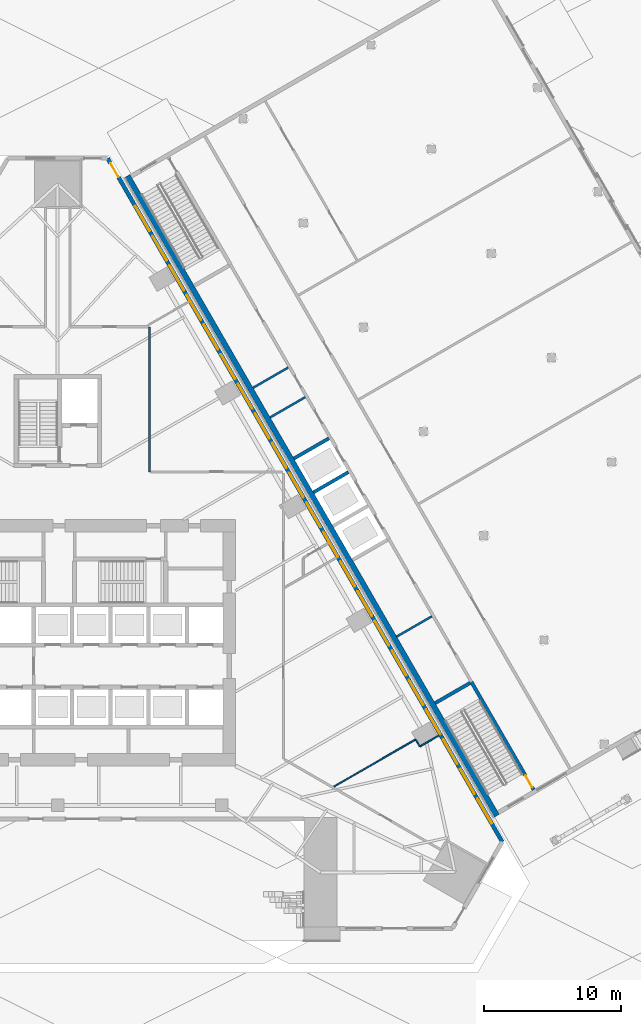
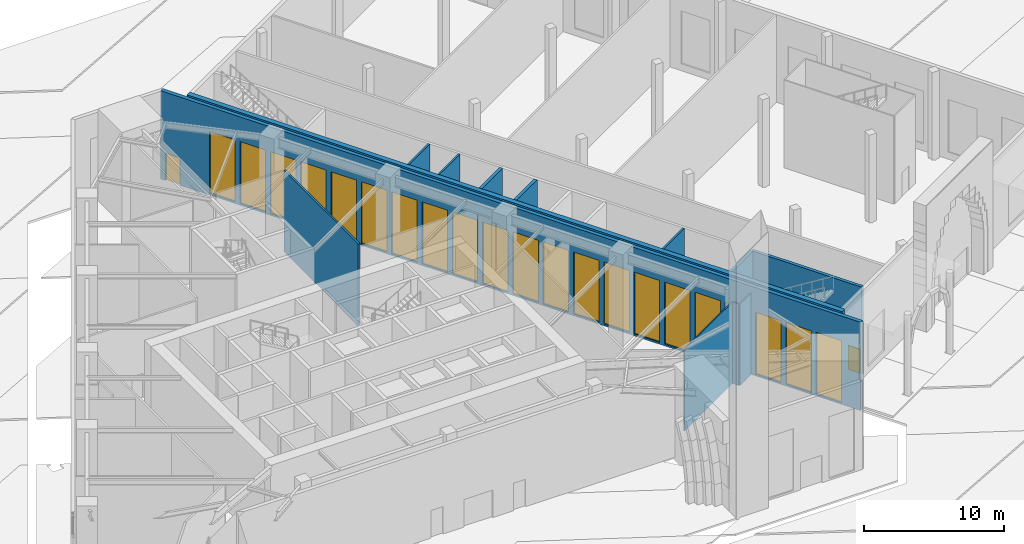
# One storey, part 16 of 34: 21 windows, 13 walls, 2 doors, 23 openings.
"""IFC4 building model written with IfcOpenShell, lengths in metres."""

from ifc_helpers import new_model, si_unit, direction, frame, frame_2d, origin, place, context, subcontext, project, spatial, rectangle, extrude, material, layer, layer_set, type_object, element, fill, save


model = new_model("IFC4")

# Units and contexts
model_context = context("Model", 3, precision=1e-05, world=origin(), true_north=direction((0.0, 1.0)))
body_context = subcontext(model_context, "Body", "Model", "MODEL_VIEW")
ifc_project = project(units=[si_unit("LENGTHUNIT", "METRE"), si_unit("AREAUNIT", "SQUARE_METRE"), si_unit("VOLUMEUNIT", "CUBIC_METRE"), si_unit("PLANEANGLEUNIT", "RADIAN"), si_unit("MASSUNIT", "GRAM", prefix="KILO")], contexts=[model_context])

# Site, building, storey
site_placement = place(None, origin())
site = spatial("IfcSite", under=ifc_project, at=site_placement, CompositionType="ELEMENT")
building_placement = place(site_placement, origin())
building = spatial("IfcBuilding", under=site, at=building_placement, Name="Firuza Gate Tower and Library", CompositionType="ELEMENT")
storey_placement = place(building_placement, origin())
storey = spatial("IfcBuildingStorey", under=building, at=storey_placement, Name="L00", CompositionType="ELEMENT", Elevation=0.0)

# Walls
ifc_material_1 = material(Name="Gypsum board partition")
ifc_layer_1 = layer(ifc_material_1, 0.14990234375)
ifc_layer_set_1 = layer_set([ifc_layer_1], Name="Corridor wall 150 double board on steel studs")
wall_type_1 = type_object("IfcWallType", Name="Corridor wall 150 double board on steel studs", PredefinedType="PARTITIONING", material=ifc_layer_set_1)
wall_1_placement = place(storey_placement, frame((81.699951171875, 87.5, 0.0), z_axis=(0.0, 0.0, 1.0), x_axis=(0.0, 1.0, 0.0)))
element("IfcWall", 1, at=wall_1_placement, inside=storey, type_object=wall_type_1, Name="f:L00:w018", PredefinedType="PARTITIONING", context=body_context, shape_type="SweptSolid", body=[
    extrude(rectangle(XDim=10.599609375, YDim=0.14990234375, at=frame_2d((5.2998046875, 0.0))), origin(), (0.0, 0.0, 1.0), 7.10009765625),
])
ifc_material_2 = material(Name="Gypsum board on steel studs", Category="steel")
ifc_layer_2 = layer(ifc_material_2, 0.14990234375)
ifc_layer_set_2 = layer_set([ifc_layer_2], Name="LIB PARTITION 150")
wall_type_2 = type_object("IfcWallType", Name="LIB PARTITION 150", PredefinedType="PARTITIONING", material=ifc_layer_set_2)
for number, where, z_axis, x_axis, name in (
    (2, (99.779296875, 75.449951171875, 0.0), (0.0, 0.0, 1.0), (0.866017493347, 0.500013701029, 0.0), "L00 part wall 5"),
    (3, (90.529296875, 91.471435546875, 0.0), (0.0, 0.0, 1.0), (0.866017493347, 0.500013701029, 0.0), "L00 part wall 12"),
    (4, (89.279296875, 93.636474609375, 0.0), (0.0, 0.0, 1.0), (0.866017493347, 0.500013701029, 0.0), "L00 part wall 13"),
):
    element("IfcWall", number, at=place(storey_placement, frame(where, z_axis=z_axis, x_axis=x_axis)), inside=storey, type_object=wall_type_2, Name=name, PredefinedType="PARTITIONING", context=body_context, shape_type="SweptSolid", body=[
        extrude(rectangle(XDim=2.97509765625, YDim=0.14990234375, at=frame_2d((1.487548828125, 0.0))), origin(), (0.0, 0.0, 1.0), 7.639892578125),
    ])
ifc_material_3 = material(Name="Concrete C40/50", Category="concrete")
ifc_layer_3 = layer(ifc_material_3, 0.25)
ifc_layer_set_3 = layer_set([ifc_layer_3], Name="LIB SHAFT WALL 250")
wall_type_3 = type_object("IfcWallType", Name="LIB SHAFT WALL 250", PredefinedType="SOLIDWALL", material=ifc_layer_set_3)
wall_2_placement = place(storey_placement, frame((102.5869140625, 70.58740234375, 0.0), z_axis=(0.0, 0.0, 1.0), x_axis=(0.866039495442, 0.49997559174, 0.0)))
element("IfcWall", 5, at=wall_2_placement, inside=storey, type_object=wall_type_3, Name="L00 shaft wall 1", PredefinedType="SOLIDWALL", context=body_context, shape_type="SweptSolid", body=[
    extrude(rectangle(XDim=2.949951171875, YDim=0.25, at=frame_2d((1.47509765625, 0.0))), origin(), (0.0, 0.0, 1.0), 7.639892578125),
])

# Wall, opening, door
wall_3_placement = place(storey_placement, frame((109.79248046875, 64.2568359375, 0.0), z_axis=(0.0, 0.0, 1.0), x_axis=(-0.499994616197, 0.866028512102, 0.0)))
wall_3 = element("IfcWall", 6, at=wall_3_placement, inside=storey, type_object=wall_type_3, Name="L00 shaft wall 2", PredefinedType="SOLIDWALL", context=body_context, shape_type="SweptSolid", body=[
    extrude(rectangle(XDim=9.0849609375, YDim=0.25, at=frame_2d((4.54248046875, 0.0))), origin(), (0.0, 0.0, 1.0), 7.639892578125),
])
opening_1_placement = place(wall_3_placement, frame((0.199951171875, 0.0, 0.0)))
opening_1 = element("IfcOpeningElement", 7, at=opening_1_placement, cuts=wall_3, Name="Opening LIB-D4-001", PredefinedType="OPENING", context=body_context, shape_type="SweptSolid", body=[
    extrude(rectangle(XDim=1.0, YDim=2.10009765625, at=frame_2d((0.5, 1.050048828125))), frame((0.0, 0.135009765625, 0.0), z_axis=(0.0, -1.0, 0.0), x_axis=(1.0, 0.0, 0.0)), (0.0, 0.0, 1.0), 0.27001953125),
])
ifc_material_4 = material(Name="Steel S235 door leaf", Category="steel")
door_type_1 = type_object("IfcDoorType", Name="LIB FIRE DOOR 1000", OperationType="NOTDEFINED", PredefinedType="DOOR", material=ifc_material_4)
door_1_placement = place(opening_1_placement, origin())
door_1 = element("IfcDoor", 8, at=door_1_placement, inside=storey, type_object=door_type_1, Name="L00 door 1", OperationType="SINGLE_SWING_LEFT", OverallHeight=2.10009765625, OverallWidth=1.0, PredefinedType="DOOR", context=body_context, shape_type="SweptSolid", body=[
    extrude(rectangle(XDim=1.0, YDim=2.10009765625, at=frame_2d((0.5, 1.050048828125))), frame((0.0, 0.02490234375, 0.0), z_axis=(0.0, -1.0, 0.0), x_axis=(1.0, 0.0, 0.0)), (0.0, 0.0, 1.0), 0.050048828125),
])
fill(opening_1, door_1)

# Walls
wall_4_placement = place(storey_placement, frame((93.69189453125, 85.993896484375, 0.0), z_axis=(0.0, 0.0, 1.0), x_axis=(0.866003658127, 0.500037662692, 0.0)))
element("IfcWall", 9, at=wall_4_placement, inside=storey, type_object=wall_type_3, Name="L00 shaft wall 10", PredefinedType="SOLIDWALL", context=body_context, shape_type="SweptSolid", body=[
    extrude(rectangle(XDim=2.949951171875, YDim=0.25, at=frame_2d((1.47509765625, 0.0))), origin(), (0.0, 0.0, 1.0), 7.639892578125),
])
wall_5_placement = place(storey_placement, frame((92.266845703125, 88.4619140625, 0.0), z_axis=(0.0, 0.0, 1.0), x_axis=(0.866024349092, 0.500001826776, 0.0)))
element("IfcWall", 10, at=wall_5_placement, inside=storey, type_object=wall_type_3, Name="L00 shaft wall 11", PredefinedType="SOLIDWALL", context=body_context, shape_type="SweptSolid", body=[
    extrude(rectangle(XDim=2.9501953125, YDim=0.25, at=frame_2d((1.47509765625, 0.0))), origin(), (0.0, 0.0, 1.0), 7.639892578125),
])
ifc_material_5 = material(Name="Concrete C40/50", Category="concrete")
ifc_layer_4 = layer(ifc_material_5, 0.39990234375)
ifc_layer_set_4 = layer_set([ifc_layer_4], Name="LIB WEST WALL 400")
wall_type_4 = type_object("IfcWallType", Name="LIB WEST WALL 400", PredefinedType="SOLIDWALL", material=ifc_layer_set_4)
wall_6_placement = place(storey_placement, frame((107.106201171875, 62.359619140625, 0.0), z_axis=(0.0, 0.0, 1.0), x_axis=(-0.49999992739, 0.866025445706, 0.0)))
element("IfcWall", 11, at=wall_6_placement, inside=storey, type_object=wall_type_4, Name="L00 west bearing wall", PredefinedType="SOLIDWALL", context=body_context, shape_type="SweptSolid", body=[
    extrude(rectangle(XDim=54.0, YDim=0.39990234375, at=frame_2d((27.0, 0.0))), origin(), (0.0, 0.0, 1.0), 7.639892578125),
])
ifc_material_6 = material(Name="Gypsum board partition")
ifc_layer_5 = layer(ifc_material_6, 0.10009765625)
ifc_layer_set_5 = layer_set([ifc_layer_5], Name="Partition 100 gypsum board on steel studs")
wall_type_5 = type_object("IfcWallType", Name="Partition 100 gypsum board on steel studs", PredefinedType="PARTITIONING", material=ifc_layer_set_5)
wall_7_placement = place(storey_placement, frame((101.471435546875, 67.42041015625, 0.0), z_axis=(0.0, 0.0, 1.0), x_axis=(0.866026058841, 0.499998865407, 0.0)))
element("IfcWall", 12, at=wall_7_placement, inside=storey, type_object=wall_type_5, Name="f:L00:w005", PredefinedType="PARTITIONING", context=body_context, shape_type="SweptSolid", body=[
    extrude(rectangle(XDim=1.70751953125, YDim=0.10009765625, at=frame_2d((0.853759765625, 0.0))), origin(), (0.0, 0.0, 1.0), 7.10009765625),
])
wall_8_placement = place(storey_placement, frame((95.200927734375, 64.492919921875, 0.0), z_axis=(0.0, 0.0, 1.0), x_axis=(0.866031059472, 0.499990203933, 0.0)))
element("IfcWall", 13, at=wall_8_placement, inside=storey, type_object=wall_type_5, Name="f:L00:w006", PredefinedType="PARTITIONING", context=body_context, shape_type="SweptSolid", body=[
    extrude(rectangle(XDim=6.893310546875, YDim=0.10009765625, at=frame_2d((3.44677734375, 0.0))), origin(), (0.0, 0.0, 1.0), 7.10009765625),
])
wall_9_placement = place(storey_placement, frame((101.4462890625, 67.4638671875, 0.0), z_axis=(0.0, 0.0, 1.0), x_axis=(-0.500033033937, 0.866006330792, 0.0)))
element("IfcWall", 14, at=wall_9_placement, inside=storey, type_object=wall_type_5, Name="f:L00:w026", PredefinedType="PARTITIONING", context=body_context, shape_type="SweptSolid", body=[
    extrude(rectangle(XDim=0.4990234375, YDim=0.10009765625, at=frame_2d((0.24951171875, 0.0))), origin(), (0.0, 0.0, 1.0), 7.10009765625),
])

# Wall, openings, door, windows
ifc_material_7 = material(Name="Concrete C40/50", Category="concrete")
ifc_layer_6 = layer(ifc_material_7, 0.300048828125)
ifc_layer_set_6 = layer_set([ifc_layer_6], Name="Shopfront wall 300")
wall_type_6 = type_object("IfcWallType", Name="Shopfront wall 300", PredefinedType="SOLIDWALL", material=ifc_layer_set_6)
wall_10_placement = place(storey_placement, frame((107.50390625, 60.45068359375, 0.0), z_axis=(0.0, 0.0, 1.0), x_axis=(-0.500000550228, 0.86602508611, 0.0)))
wall_10 = element("IfcWall", 15, at=wall_10_placement, inside=storey, type_object=wall_type_6, Name="Shopfront wall 7", PredefinedType="SOLIDWALL", context=body_context, shape_type="SweptSolid", body=[
    extrude(rectangle(XDim=57.7041015625, YDim=0.300048828125, at=frame_2d((28.85205078125, 0.0))), origin(), (0.0, 0.0, 1.0), 7.699951171875),
])
opening_2_placement = place(wall_10_placement, frame((56.10400390625, 0.0, 0.0)))
opening_2 = element("IfcOpeningElement", 16, at=opening_2_placement, cuts=wall_10, Name="Opening DR4-001", PredefinedType="OPENING", context=body_context, shape_type="SweptSolid", body=[
    extrude(rectangle(XDim=1.199951171875, YDim=2.39990234375, at=frame_2d((0.60009765625, 1.199951171875))), frame((0.0, 0.16015625, 0.0), z_axis=(0.0, -1.0, 0.0), x_axis=(1.0, 0.0, 0.0)), (0.0, 0.0, 1.0), 0.320068359375),
])
opening_3_placement = place(wall_10_placement, frame((1.552001953125, 0.0, 0.14990234375)))
opening_3 = element("IfcOpeningElement", 17, at=opening_3_placement, cuts=wall_10, Name="Opening WD2-006", PredefinedType="OPENING", context=body_context, shape_type="SweptSolid", body=[
    extrude(rectangle(XDim=2.10009765625, YDim=5.39990234375, at=frame_2d((1.050048828125, 2.699951171875))), frame((0.0, 0.16015625, 0.0), z_axis=(0.0, -1.0, 0.0), x_axis=(1.0, 0.0, 0.0)), (0.0, 0.0, 1.0), 0.320068359375),
])
opening_4_placement = place(wall_10_placement, frame((4.052001953125, 0.0, 0.14990234375)))
opening_4 = element("IfcOpeningElement", 18, at=opening_4_placement, cuts=wall_10, Name="Opening WD2-007", PredefinedType="OPENING", context=body_context, shape_type="SweptSolid", body=[
    extrude(rectangle(XDim=2.10009765625, YDim=5.39990234375, at=frame_2d((1.050048828125, 2.699951171875))), frame((0.0, 0.16015625, 0.0), z_axis=(0.0, -1.0, 0.0), x_axis=(1.0, 0.0, 0.0)), (0.0, 0.0, 1.0), 0.320068359375),
])
opening_5_placement = place(wall_10_placement, frame((6.552001953125, 0.0, 0.14990234375)))
opening_5 = element("IfcOpeningElement", 19, at=opening_5_placement, cuts=wall_10, Name="Opening WD2-008", PredefinedType="OPENING", context=body_context, shape_type="SweptSolid", body=[
    extrude(rectangle(XDim=2.10009765625, YDim=5.39990234375, at=frame_2d((1.050048828125, 2.699951171875))), frame((0.0, 0.16015625, 0.0), z_axis=(0.0, -1.0, 0.0), x_axis=(1.0, 0.0, 0.0)), (0.0, 0.0, 1.0), 0.320068359375),
])
opening_6_placement = place(wall_10_placement, frame((9.052001953125, 0.0, 0.14990234375)))
opening_6 = element("IfcOpeningElement", 20, at=opening_6_placement, cuts=wall_10, Name="Opening WD2-009", PredefinedType="OPENING", context=body_context, shape_type="SweptSolid", body=[
    extrude(rectangle(XDim=2.10009765625, YDim=5.39990234375, at=frame_2d((1.050048828125, 2.699951171875))), frame((0.0, 0.16015625, 0.0), z_axis=(0.0, -1.0, 0.0), x_axis=(1.0, 0.0, 0.0)), (0.0, 0.0, 1.0), 0.320068359375),
])
opening_7_placement = place(wall_10_placement, frame((11.552001953125, 0.0, 0.14990234375)))
opening_7 = element("IfcOpeningElement", 21, at=opening_7_placement, cuts=wall_10, Name="Opening WD2-010", PredefinedType="OPENING", context=body_context, shape_type="SweptSolid", body=[
    extrude(rectangle(XDim=2.10009765625, YDim=5.39990234375, at=frame_2d((1.050048828125, 2.699951171875))), frame((0.0, 0.16015625, 0.0), z_axis=(0.0, -1.0, 0.0), x_axis=(1.0, 0.0, 0.0)), (0.0, 0.0, 1.0), 0.320068359375),
])
opening_8_placement = place(wall_10_placement, frame((14.052001953125, 0.0, 0.14990234375)))
opening_8 = element("IfcOpeningElement", 22, at=opening_8_placement, cuts=wall_10, Name="Opening WD2-011", PredefinedType="OPENING", context=body_context, shape_type="SweptSolid", body=[
    extrude(rectangle(XDim=2.10009765625, YDim=5.39990234375, at=frame_2d((1.050048828125, 2.699951171875))), frame((0.0, 0.16015625, 0.0), z_axis=(0.0, -1.0, 0.0), x_axis=(1.0, 0.0, 0.0)), (0.0, 0.0, 1.0), 0.320068359375),
])
opening_9_placement = place(wall_10_placement, frame((16.552001953125, 0.0, 0.14990234375)))
opening_9 = element("IfcOpeningElement", 23, at=opening_9_placement, cuts=wall_10, Name="Opening WD2-012", PredefinedType="OPENING", context=body_context, shape_type="SweptSolid", body=[
    extrude(rectangle(XDim=2.10009765625, YDim=5.39990234375, at=frame_2d((1.050048828125, 2.699951171875))), frame((0.0, 0.16015625, 0.0), z_axis=(0.0, -1.0, 0.0), x_axis=(1.0, 0.0, 0.0)), (0.0, 0.0, 1.0), 0.320068359375),
])
opening_10_placement = place(wall_10_placement, frame((19.052001953125, 0.0, 0.14990234375)))
opening_10 = element("IfcOpeningElement", 24, at=opening_10_placement, cuts=wall_10, Name="Opening WD2-013", PredefinedType="OPENING", context=body_context, shape_type="SweptSolid", body=[
    extrude(rectangle(XDim=2.10009765625, YDim=5.39990234375, at=frame_2d((1.050048828125, 2.699951171875))), frame((0.0, 0.16015625, 0.0), z_axis=(0.0, -1.0, 0.0), x_axis=(1.0, 0.0, 0.0)), (0.0, 0.0, 1.0), 0.320068359375),
])
opening_11_placement = place(wall_10_placement, frame((21.552001953125, 0.0, 0.14990234375)))
opening_11 = element("IfcOpeningElement", 25, at=opening_11_placement, cuts=wall_10, Name="Opening WD2-014", PredefinedType="OPENING", context=body_context, shape_type="SweptSolid", body=[
    extrude(rectangle(XDim=2.10009765625, YDim=5.39990234375, at=frame_2d((1.050048828125, 2.699951171875))), frame((0.0, 0.16015625, 0.0), z_axis=(0.0, -1.0, 0.0), x_axis=(1.0, 0.0, 0.0)), (0.0, 0.0, 1.0), 0.320068359375),
])
opening_12_placement = place(wall_10_placement, frame((24.052001953125, 0.0, 0.14990234375)))
opening_12 = element("IfcOpeningElement", 26, at=opening_12_placement, cuts=wall_10, Name="Opening WD2-015", PredefinedType="OPENING", context=body_context, shape_type="SweptSolid", body=[
    extrude(rectangle(XDim=2.10009765625, YDim=5.39990234375, at=frame_2d((1.050048828125, 2.699951171875))), frame((0.0, 0.16015625, 0.0), z_axis=(0.0, -1.0, 0.0), x_axis=(1.0, 0.0, 0.0)), (0.0, 0.0, 1.0), 0.320068359375),
])
opening_13_placement = place(wall_10_placement, frame((26.552001953125, 0.0, 0.14990234375)))
opening_13 = element("IfcOpeningElement", 27, at=opening_13_placement, cuts=wall_10, Name="Opening WD2-016", PredefinedType="OPENING", context=body_context, shape_type="SweptSolid", body=[
    extrude(rectangle(XDim=2.10009765625, YDim=5.39990234375, at=frame_2d((1.050048828125, 2.699951171875))), frame((0.0, 0.16015625, 0.0), z_axis=(0.0, -1.0, 0.0), x_axis=(1.0, 0.0, 0.0)), (0.0, 0.0, 1.0), 0.320068359375),
])
opening_14_placement = place(wall_10_placement, frame((29.052001953125, 0.0, 0.14990234375)))
opening_14 = element("IfcOpeningElement", 28, at=opening_14_placement, cuts=wall_10, Name="Opening WD2-017", PredefinedType="OPENING", context=body_context, shape_type="SweptSolid", body=[
    extrude(rectangle(XDim=2.10009765625, YDim=5.39990234375, at=frame_2d((1.050048828125, 2.699951171875))), frame((0.0, 0.16015625, 0.0), z_axis=(0.0, -1.0, 0.0), x_axis=(1.0, 0.0, 0.0)), (0.0, 0.0, 1.0), 0.320068359375),
])
opening_15_placement = place(wall_10_placement, frame((31.552001953125, 0.0, 0.14990234375)))
opening_15 = element("IfcOpeningElement", 29, at=opening_15_placement, cuts=wall_10, Name="Opening WD2-018", PredefinedType="OPENING", context=body_context, shape_type="SweptSolid", body=[
    extrude(rectangle(XDim=2.10009765625, YDim=5.39990234375, at=frame_2d((1.050048828125, 2.699951171875))), frame((0.0, 0.16015625, 0.0), z_axis=(0.0, -1.0, 0.0), x_axis=(1.0, 0.0, 0.0)), (0.0, 0.0, 1.0), 0.320068359375),
])
opening_16_placement = place(wall_10_placement, frame((34.052001953125, 0.0, 0.14990234375)))
opening_16 = element("IfcOpeningElement", 30, at=opening_16_placement, cuts=wall_10, Name="Opening WD2-019", PredefinedType="OPENING", context=body_context, shape_type="SweptSolid", body=[
    extrude(rectangle(XDim=2.10009765625, YDim=5.39990234375, at=frame_2d((1.050048828125, 2.699951171875))), frame((0.0, 0.16015625, 0.0), z_axis=(0.0, -1.0, 0.0), x_axis=(1.0, 0.0, 0.0)), (0.0, 0.0, 1.0), 0.320068359375),
])
opening_17_placement = place(wall_10_placement, frame((36.552001953125, 0.0, 0.14990234375)))
opening_17 = element("IfcOpeningElement", 31, at=opening_17_placement, cuts=wall_10, Name="Opening WD2-020", PredefinedType="OPENING", context=body_context, shape_type="SweptSolid", body=[
    extrude(rectangle(XDim=2.10009765625, YDim=5.39990234375, at=frame_2d((1.050048828125, 2.699951171875))), frame((0.0, 0.16015625, 0.0), z_axis=(0.0, -1.0, 0.0), x_axis=(1.0, 0.0, 0.0)), (0.0, 0.0, 1.0), 0.320068359375),
])
opening_18_placement = place(wall_10_placement, frame((39.052001953125, 0.0, 0.14990234375)))
opening_18 = element("IfcOpeningElement", 32, at=opening_18_placement, cuts=wall_10, Name="Opening WD2-021", PredefinedType="OPENING", context=body_context, shape_type="SweptSolid", body=[
    extrude(rectangle(XDim=2.10009765625, YDim=5.39990234375, at=frame_2d((1.050048828125, 2.699951171875))), frame((0.0, 0.16015625, 0.0), z_axis=(0.0, -1.0, 0.0), x_axis=(1.0, 0.0, 0.0)), (0.0, 0.0, 1.0), 0.320068359375),
])
opening_19_placement = place(wall_10_placement, frame((41.552001953125, 0.0, 0.14990234375)))
opening_19 = element("IfcOpeningElement", 33, at=opening_19_placement, cuts=wall_10, Name="Opening WD2-022", PredefinedType="OPENING", context=body_context, shape_type="SweptSolid", body=[
    extrude(rectangle(XDim=2.10009765625, YDim=5.39990234375, at=frame_2d((1.050048828125, 2.699951171875))), frame((0.0, 0.16015625, 0.0), z_axis=(0.0, -1.0, 0.0), x_axis=(1.0, 0.0, 0.0)), (0.0, 0.0, 1.0), 0.320068359375),
])
opening_20_placement = place(wall_10_placement, frame((44.052001953125, 0.0, 0.14990234375)))
opening_20 = element("IfcOpeningElement", 34, at=opening_20_placement, cuts=wall_10, Name="Opening WD2-023", PredefinedType="OPENING", context=body_context, shape_type="SweptSolid", body=[
    extrude(rectangle(XDim=2.10009765625, YDim=5.39990234375, at=frame_2d((1.050048828125, 2.699951171875))), frame((0.0, 0.16015625, 0.0), z_axis=(0.0, -1.0, 0.0), x_axis=(1.0, 0.0, 0.0)), (0.0, 0.0, 1.0), 0.320068359375),
])
opening_21_placement = place(wall_10_placement, frame((46.552001953125, 0.0, 0.14990234375)))
opening_21 = element("IfcOpeningElement", 35, at=opening_21_placement, cuts=wall_10, Name="Opening WD2-024", PredefinedType="OPENING", context=body_context, shape_type="SweptSolid", body=[
    extrude(rectangle(XDim=2.10009765625, YDim=5.39990234375, at=frame_2d((1.050048828125, 2.699951171875))), frame((0.0, 0.16015625, 0.0), z_axis=(0.0, -1.0, 0.0), x_axis=(1.0, 0.0, 0.0)), (0.0, 0.0, 1.0), 0.320068359375),
])
opening_22_placement = place(wall_10_placement, frame((49.052001953125, 0.0, 0.14990234375)))
opening_22 = element("IfcOpeningElement", 36, at=opening_22_placement, cuts=wall_10, Name="Opening WD2-025", PredefinedType="OPENING", context=body_context, shape_type="SweptSolid", body=[
    extrude(rectangle(XDim=2.10009765625, YDim=5.39990234375, at=frame_2d((1.050048828125, 2.699951171875))), frame((0.0, 0.16015625, 0.0), z_axis=(0.0, -1.0, 0.0), x_axis=(1.0, 0.0, 0.0)), (0.0, 0.0, 1.0), 0.320068359375),
])
opening_23_placement = place(wall_10_placement, frame((51.552001953125, 0.0, 0.14990234375)))
opening_23 = element("IfcOpeningElement", 37, at=opening_23_placement, cuts=wall_10, Name="Opening WD2-026", PredefinedType="OPENING", context=body_context, shape_type="SweptSolid", body=[
    extrude(rectangle(XDim=2.10009765625, YDim=5.39990234375, at=frame_2d((1.050048828125, 2.699951171875))), frame((0.0, 0.16015625, 0.0), z_axis=(0.0, -1.0, 0.0), x_axis=(1.0, 0.0, 0.0)), (0.0, 0.0, 1.0), 0.320068359375),
])
ifc_material_8 = material(Name="Steel S355 and ceramic coating", Category="steel")
door_type_2 = type_object("IfcDoorType", Name="Service door 1200x2400", OperationType="NOTDEFINED", PredefinedType="DOOR", material=ifc_material_8)
door_2_placement = place(opening_2_placement, origin())
door_2 = element("IfcDoor", 38, at=door_2_placement, inside=storey, type_object=door_type_2, Name="Door DR4-7.1", OperationType="SINGLE_SWING_LEFT", OverallHeight=2.39990234375, OverallWidth=1.199951171875, PredefinedType="DOOR", context=body_context, shape_type="SweptSolid", body=[
    extrude(rectangle(XDim=1.199951171875, YDim=2.39990234375, at=frame_2d((0.60009765625, 1.199951171875))), frame((0.0, 0.02490234375, 0.0), z_axis=(0.0, -1.0, 0.0), x_axis=(1.0, 0.0, 0.0)), (0.0, 0.0, 1.0), 0.050048828125),
])
fill(opening_2, door_2)
ifc_material_9 = material(Name="Aluminium 6063-T6 and glass", Category="aluminium")
window_type = type_object("IfcWindowType", Name="Shopfront window 2100x5400", PartitioningType="SINGLE_PANEL", PredefinedType="WINDOW", material=ifc_material_9)
window_1_placement = place(opening_3_placement, origin())
window_1 = element("IfcWindow", 39, at=window_1_placement, inside=storey, type_object=window_type, Name="e:wall:L00:6/W0", OverallHeight=5.39990234375, OverallWidth=2.10009765625, PartitioningType="SINGLE_PANEL", PredefinedType="WINDOW", context=body_context, shape_type="SweptSolid", body=[
    extrude(rectangle(XDim=2.10009765625, YDim=5.39990234375, at=frame_2d((1.050048828125, 2.699951171875))), frame((0.0, 0.030029296875, 0.0), z_axis=(0.0, -1.0, 0.0), x_axis=(1.0, 0.0, 0.0)), (0.0, 0.0, 1.0), 0.06005859375),
])
fill(opening_3, window_1)
window_2_placement = place(opening_4_placement, origin())
window_2 = element("IfcWindow", 40, at=window_2_placement, inside=storey, type_object=window_type, Name="e:wall:L00:6/W1", OverallHeight=5.39990234375, OverallWidth=2.10009765625, PartitioningType="SINGLE_PANEL", PredefinedType="WINDOW", context=body_context, shape_type="SweptSolid", body=[
    extrude(rectangle(XDim=2.10009765625, YDim=5.39990234375, at=frame_2d((1.050048828125, 2.699951171875))), frame((0.0, 0.030029296875, 0.0), z_axis=(0.0, -1.0, 0.0), x_axis=(1.0, 0.0, 0.0)), (0.0, 0.0, 1.0), 0.06005859375),
])
fill(opening_4, window_2)
window_3_placement = place(opening_5_placement, origin())
window_3 = element("IfcWindow", 41, at=window_3_placement, inside=storey, type_object=window_type, Name="e:wall:L00:6/W2", OverallHeight=5.39990234375, OverallWidth=2.10009765625, PartitioningType="SINGLE_PANEL", PredefinedType="WINDOW", context=body_context, shape_type="SweptSolid", body=[
    extrude(rectangle(XDim=2.10009765625, YDim=5.39990234375, at=frame_2d((1.050048828125, 2.699951171875))), frame((0.0, 0.030029296875, 0.0), z_axis=(0.0, -1.0, 0.0), x_axis=(1.0, 0.0, 0.0)), (0.0, 0.0, 1.0), 0.06005859375),
])
fill(opening_5, window_3)
window_4_placement = place(opening_6_placement, origin())
window_4 = element("IfcWindow", 42, at=window_4_placement, inside=storey, type_object=window_type, Name="e:wall:L00:6/W3", OverallHeight=5.39990234375, OverallWidth=2.10009765625, PartitioningType="SINGLE_PANEL", PredefinedType="WINDOW", context=body_context, shape_type="SweptSolid", body=[
    extrude(rectangle(XDim=2.10009765625, YDim=5.39990234375, at=frame_2d((1.050048828125, 2.699951171875))), frame((0.0, 0.030029296875, 0.0), z_axis=(0.0, -1.0, 0.0), x_axis=(1.0, 0.0, 0.0)), (0.0, 0.0, 1.0), 0.06005859375),
])
fill(opening_6, window_4)
window_5_placement = place(opening_7_placement, origin())
window_5 = element("IfcWindow", 43, at=window_5_placement, inside=storey, type_object=window_type, Name="e:wall:L00:6/W4", OverallHeight=5.39990234375, OverallWidth=2.10009765625, PartitioningType="SINGLE_PANEL", PredefinedType="WINDOW", context=body_context, shape_type="SweptSolid", body=[
    extrude(rectangle(XDim=2.10009765625, YDim=5.39990234375, at=frame_2d((1.050048828125, 2.699951171875))), frame((0.0, 0.030029296875, 0.0), z_axis=(0.0, -1.0, 0.0), x_axis=(1.0, 0.0, 0.0)), (0.0, 0.0, 1.0), 0.06005859375),
])
fill(opening_7, window_5)
window_6_placement = place(opening_8_placement, origin())
window_6 = element("IfcWindow", 44, at=window_6_placement, inside=storey, type_object=window_type, Name="e:wall:L00:6/W5", OverallHeight=5.39990234375, OverallWidth=2.10009765625, PartitioningType="SINGLE_PANEL", PredefinedType="WINDOW", context=body_context, shape_type="SweptSolid", body=[
    extrude(rectangle(XDim=2.10009765625, YDim=5.39990234375, at=frame_2d((1.050048828125, 2.699951171875))), frame((0.0, 0.030029296875, 0.0), z_axis=(0.0, -1.0, 0.0), x_axis=(1.0, 0.0, 0.0)), (0.0, 0.0, 1.0), 0.06005859375),
])
fill(opening_8, window_6)
window_7_placement = place(opening_9_placement, origin())
window_7 = element("IfcWindow", 45, at=window_7_placement, inside=storey, type_object=window_type, Name="e:wall:L00:6/W6", OverallHeight=5.39990234375, OverallWidth=2.10009765625, PartitioningType="SINGLE_PANEL", PredefinedType="WINDOW", context=body_context, shape_type="SweptSolid", body=[
    extrude(rectangle(XDim=2.10009765625, YDim=5.39990234375, at=frame_2d((1.050048828125, 2.699951171875))), frame((0.0, 0.030029296875, 0.0), z_axis=(0.0, -1.0, 0.0), x_axis=(1.0, 0.0, 0.0)), (0.0, 0.0, 1.0), 0.06005859375),
])
fill(opening_9, window_7)
window_8_placement = place(opening_10_placement, origin())
window_8 = element("IfcWindow", 46, at=window_8_placement, inside=storey, type_object=window_type, Name="e:wall:L00:6/W7", OverallHeight=5.39990234375, OverallWidth=2.10009765625, PartitioningType="SINGLE_PANEL", PredefinedType="WINDOW", context=body_context, shape_type="SweptSolid", body=[
    extrude(rectangle(XDim=2.10009765625, YDim=5.39990234375, at=frame_2d((1.050048828125, 2.699951171875))), frame((0.0, 0.030029296875, 0.0), z_axis=(0.0, -1.0, 0.0), x_axis=(1.0, 0.0, 0.0)), (0.0, 0.0, 1.0), 0.06005859375),
])
fill(opening_10, window_8)
window_9_placement = place(opening_11_placement, origin())
window_9 = element("IfcWindow", 47, at=window_9_placement, inside=storey, type_object=window_type, Name="e:wall:L00:6/W8", OverallHeight=5.39990234375, OverallWidth=2.10009765625, PartitioningType="SINGLE_PANEL", PredefinedType="WINDOW", context=body_context, shape_type="SweptSolid", body=[
    extrude(rectangle(XDim=2.10009765625, YDim=5.39990234375, at=frame_2d((1.050048828125, 2.699951171875))), frame((0.0, 0.030029296875, 0.0), z_axis=(0.0, -1.0, 0.0), x_axis=(1.0, 0.0, 0.0)), (0.0, 0.0, 1.0), 0.06005859375),
])
fill(opening_11, window_9)
window_10_placement = place(opening_12_placement, origin())
window_10 = element("IfcWindow", 48, at=window_10_placement, inside=storey, type_object=window_type, Name="e:wall:L00:6/W9", OverallHeight=5.39990234375, OverallWidth=2.10009765625, PartitioningType="SINGLE_PANEL", PredefinedType="WINDOW", context=body_context, shape_type="SweptSolid", body=[
    extrude(rectangle(XDim=2.10009765625, YDim=5.39990234375, at=frame_2d((1.050048828125, 2.699951171875))), frame((0.0, 0.030029296875, 0.0), z_axis=(0.0, -1.0, 0.0), x_axis=(1.0, 0.0, 0.0)), (0.0, 0.0, 1.0), 0.06005859375),
])
fill(opening_12, window_10)
window_11_placement = place(opening_13_placement, origin())
window_11 = element("IfcWindow", 49, at=window_11_placement, inside=storey, type_object=window_type, Name="e:wall:L00:6/W10", OverallHeight=5.39990234375, OverallWidth=2.10009765625, PartitioningType="SINGLE_PANEL", PredefinedType="WINDOW", context=body_context, shape_type="SweptSolid", body=[
    extrude(rectangle(XDim=2.10009765625, YDim=5.39990234375, at=frame_2d((1.050048828125, 2.699951171875))), frame((0.0, 0.030029296875, 0.0), z_axis=(0.0, -1.0, 0.0), x_axis=(1.0, 0.0, 0.0)), (0.0, 0.0, 1.0), 0.06005859375),
])
fill(opening_13, window_11)
window_12_placement = place(opening_14_placement, origin())
window_12 = element("IfcWindow", 50, at=window_12_placement, inside=storey, type_object=window_type, Name="e:wall:L00:6/W11", OverallHeight=5.39990234375, OverallWidth=2.10009765625, PartitioningType="SINGLE_PANEL", PredefinedType="WINDOW", context=body_context, shape_type="SweptSolid", body=[
    extrude(rectangle(XDim=2.10009765625, YDim=5.39990234375, at=frame_2d((1.050048828125, 2.699951171875))), frame((0.0, 0.030029296875, 0.0), z_axis=(0.0, -1.0, 0.0), x_axis=(1.0, 0.0, 0.0)), (0.0, 0.0, 1.0), 0.06005859375),
])
fill(opening_14, window_12)
window_13_placement = place(opening_15_placement, origin())
window_13 = element("IfcWindow", 51, at=window_13_placement, inside=storey, type_object=window_type, Name="e:wall:L00:6/W12", OverallHeight=5.39990234375, OverallWidth=2.10009765625, PartitioningType="SINGLE_PANEL", PredefinedType="WINDOW", context=body_context, shape_type="SweptSolid", body=[
    extrude(rectangle(XDim=2.10009765625, YDim=5.39990234375, at=frame_2d((1.050048828125, 2.699951171875))), frame((0.0, 0.030029296875, 0.0), z_axis=(0.0, -1.0, 0.0), x_axis=(1.0, 0.0, 0.0)), (0.0, 0.0, 1.0), 0.06005859375),
])
fill(opening_15, window_13)
window_14_placement = place(opening_16_placement, origin())
window_14 = element("IfcWindow", 52, at=window_14_placement, inside=storey, type_object=window_type, Name="e:wall:L00:6/W13", OverallHeight=5.39990234375, OverallWidth=2.10009765625, PartitioningType="SINGLE_PANEL", PredefinedType="WINDOW", context=body_context, shape_type="SweptSolid", body=[
    extrude(rectangle(XDim=2.10009765625, YDim=5.39990234375, at=frame_2d((1.050048828125, 2.699951171875))), frame((0.0, 0.030029296875, 0.0), z_axis=(0.0, -1.0, 0.0), x_axis=(1.0, 0.0, 0.0)), (0.0, 0.0, 1.0), 0.06005859375),
])
fill(opening_16, window_14)
window_15_placement = place(opening_17_placement, origin())
window_15 = element("IfcWindow", 53, at=window_15_placement, inside=storey, type_object=window_type, Name="e:wall:L00:6/W14", OverallHeight=5.39990234375, OverallWidth=2.10009765625, PartitioningType="SINGLE_PANEL", PredefinedType="WINDOW", context=body_context, shape_type="SweptSolid", body=[
    extrude(rectangle(XDim=2.10009765625, YDim=5.39990234375, at=frame_2d((1.050048828125, 2.699951171875))), frame((0.0, 0.030029296875, 0.0), z_axis=(0.0, -1.0, 0.0), x_axis=(1.0, 0.0, 0.0)), (0.0, 0.0, 1.0), 0.06005859375),
])
fill(opening_17, window_15)
window_16_placement = place(opening_18_placement, origin())
window_16 = element("IfcWindow", 54, at=window_16_placement, inside=storey, type_object=window_type, Name="e:wall:L00:6/W15", OverallHeight=5.39990234375, OverallWidth=2.10009765625, PartitioningType="SINGLE_PANEL", PredefinedType="WINDOW", context=body_context, shape_type="SweptSolid", body=[
    extrude(rectangle(XDim=2.10009765625, YDim=5.39990234375, at=frame_2d((1.050048828125, 2.699951171875))), frame((0.0, 0.030029296875, 0.0), z_axis=(0.0, -1.0, 0.0), x_axis=(1.0, 0.0, 0.0)), (0.0, 0.0, 1.0), 0.06005859375),
])
fill(opening_18, window_16)
window_17_placement = place(opening_19_placement, origin())
window_17 = element("IfcWindow", 55, at=window_17_placement, inside=storey, type_object=window_type, Name="e:wall:L00:6/W16", OverallHeight=5.39990234375, OverallWidth=2.10009765625, PartitioningType="SINGLE_PANEL", PredefinedType="WINDOW", context=body_context, shape_type="SweptSolid", body=[
    extrude(rectangle(XDim=2.10009765625, YDim=5.39990234375, at=frame_2d((1.050048828125, 2.699951171875))), frame((0.0, 0.030029296875, 0.0), z_axis=(0.0, -1.0, 0.0), x_axis=(1.0, 0.0, 0.0)), (0.0, 0.0, 1.0), 0.06005859375),
])
fill(opening_19, window_17)
window_18_placement = place(opening_20_placement, origin())
window_18 = element("IfcWindow", 56, at=window_18_placement, inside=storey, type_object=window_type, Name="e:wall:L00:6/W17", OverallHeight=5.39990234375, OverallWidth=2.10009765625, PartitioningType="SINGLE_PANEL", PredefinedType="WINDOW", context=body_context, shape_type="SweptSolid", body=[
    extrude(rectangle(XDim=2.10009765625, YDim=5.39990234375, at=frame_2d((1.050048828125, 2.699951171875))), frame((0.0, 0.030029296875, 0.0), z_axis=(0.0, -1.0, 0.0), x_axis=(1.0, 0.0, 0.0)), (0.0, 0.0, 1.0), 0.06005859375),
])
fill(opening_20, window_18)
window_19_placement = place(opening_21_placement, origin())
window_19 = element("IfcWindow", 57, at=window_19_placement, inside=storey, type_object=window_type, Name="e:wall:L00:6/W18", OverallHeight=5.39990234375, OverallWidth=2.10009765625, PartitioningType="SINGLE_PANEL", PredefinedType="WINDOW", context=body_context, shape_type="SweptSolid", body=[
    extrude(rectangle(XDim=2.10009765625, YDim=5.39990234375, at=frame_2d((1.050048828125, 2.699951171875))), frame((0.0, 0.030029296875, 0.0), z_axis=(0.0, -1.0, 0.0), x_axis=(1.0, 0.0, 0.0)), (0.0, 0.0, 1.0), 0.06005859375),
])
fill(opening_21, window_19)
window_20_placement = place(opening_22_placement, origin())
window_20 = element("IfcWindow", 58, at=window_20_placement, inside=storey, type_object=window_type, Name="e:wall:L00:6/W19", OverallHeight=5.39990234375, OverallWidth=2.10009765625, PartitioningType="SINGLE_PANEL", PredefinedType="WINDOW", context=body_context, shape_type="SweptSolid", body=[
    extrude(rectangle(XDim=2.10009765625, YDim=5.39990234375, at=frame_2d((1.050048828125, 2.699951171875))), frame((0.0, 0.030029296875, 0.0), z_axis=(0.0, -1.0, 0.0), x_axis=(1.0, 0.0, 0.0)), (0.0, 0.0, 1.0), 0.06005859375),
])
fill(opening_22, window_20)
window_21_placement = place(opening_23_placement, origin())
window_21 = element("IfcWindow", 59, at=window_21_placement, inside=storey, type_object=window_type, Name="e:wall:L00:6/W20", OverallHeight=5.39990234375, OverallWidth=2.10009765625, PartitioningType="SINGLE_PANEL", PredefinedType="WINDOW", context=body_context, shape_type="SweptSolid", body=[
    extrude(rectangle(XDim=2.10009765625, YDim=5.39990234375, at=frame_2d((1.050048828125, 2.699951171875))), frame((0.0, 0.030029296875, 0.0), z_axis=(0.0, -1.0, 0.0), x_axis=(1.0, 0.0, 0.0)), (0.0, 0.0, 1.0), 0.06005859375),
])
fill(opening_23, window_21)

save(model, "model.ifc")
